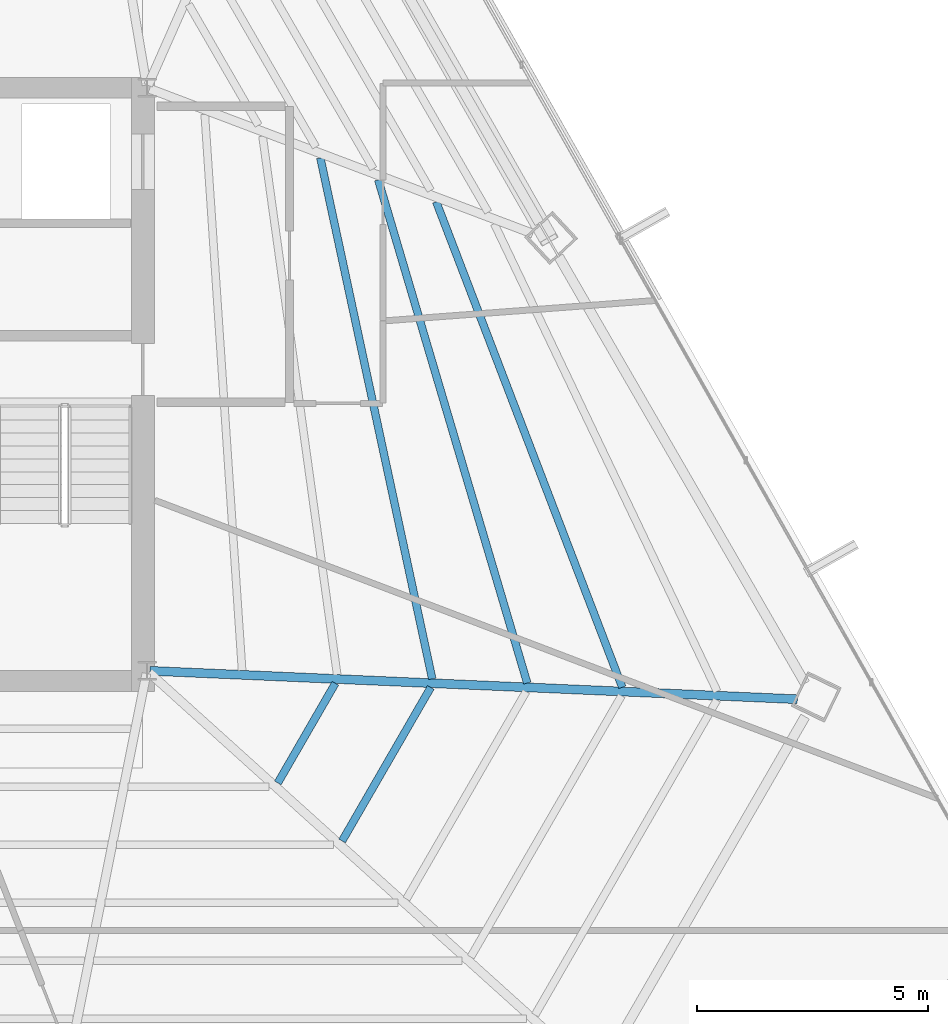
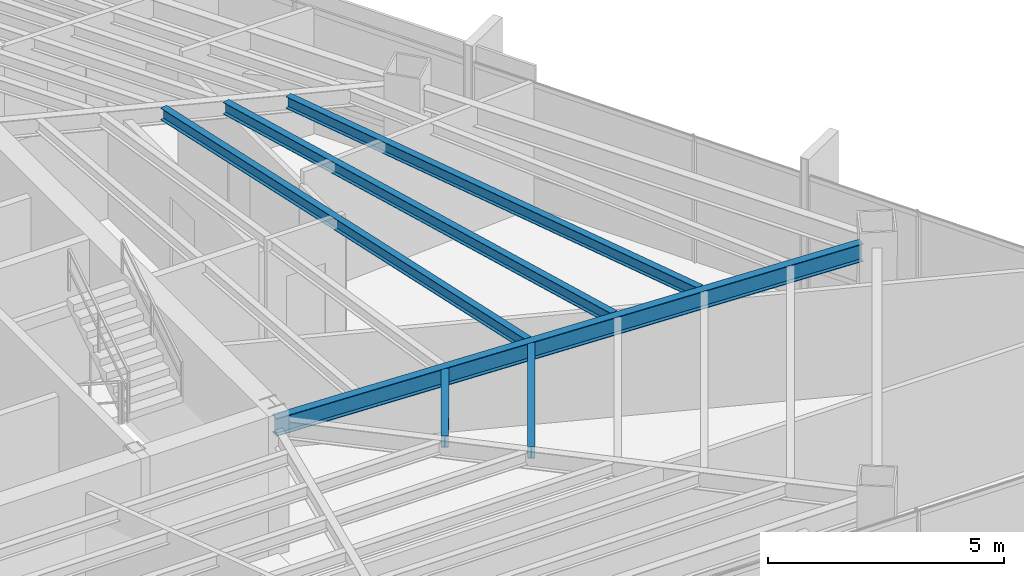
# One storey, part 21 of 40: 6 beams.
"""IFC4 building model written with IfcOpenShell, lengths in metres."""

from ifc_helpers import new_model, si_unit, direction, frame, origin, origin_2d, place, context, subcontext, project, spatial, i_section, extrude, source, transform, mapped, material, material_profile, profile_set, type_object, type_shapes, element, save


model = new_model("IFC4")

# Units and contexts
model_context = context("Model", 3, precision=1e-05, world=origin(), true_north=direction((0.0, 1.0)))
body_context = subcontext(model_context, "Body", "Model", "MODEL_VIEW")
ifc_project = project(units=[si_unit("LENGTHUNIT", "METRE"), si_unit("AREAUNIT", "SQUARE_METRE"), si_unit("VOLUMEUNIT", "CUBIC_METRE"), si_unit("PLANEANGLEUNIT", "RADIAN"), si_unit("MASSUNIT", "GRAM", prefix="KILO")], contexts=[model_context])

# Site, building, storey
site_placement = place(None, origin())
site = spatial("IfcSite", under=ifc_project, at=site_placement, CompositionType="ELEMENT")
building_placement = place(site_placement, origin())
building = spatial("IfcBuilding", under=site, at=building_placement, Name="Caelisora Broadcast Tower", CompositionType="ELEMENT")
storey_placement = place(building_placement, frame((0.0, 0.0, 216.89990234375)))
storey = spatial("IfcBuildingStorey", under=building, at=storey_placement, Name="L57", CompositionType="ELEMENT", Elevation=216.89990234375)

# Beams
ifc_material = material(Name="Steel Grade 350 (AS/NZS 3679.1)", Category="steel")
ifc_material_profile_1 = material_profile(ifc_material, i_section(OverallWidth=0.19091796875, OverallDepth=0.46044921875, WebThickness=0.010009765625, FlangeThickness=0.01611328125, at=origin_2d()), Name="Steel Grade 350 (AS/NZS 3679.1)")
ifc_profile_set_1 = profile_set([ifc_material_profile_1], Name="Steel Grade 350 (AS/NZS 3679.1)")
beam_type_1 = type_object("IfcBeamType", Name="PG06", PredefinedType="BEAM", material=ifc_profile_set_1)
shared_shape_1 = source(origin(), body_context, "Body", "SweptSolid", [
    extrude(i_section(OverallWidth=0.19091796875, OverallDepth=0.46044921875, WebThickness=0.010009765625, FlangeThickness=0.01611328125, at=origin_2d()), origin(), (0.0, 0.0, 1.0), 14.011474609375),
])
type_shapes(beam_type_1, [shared_shape_1])
beam_1_placement = place(storey_placement, frame((45.559814453125, 17.3974609375, 3.02001953125), z_axis=(0.999038587335, -0.043839491519, 0.0), x_axis=(0.043839491519, 0.999038587335, 0.0)))
element("IfcBeam", 1, at=beam_1_placement, inside=storey, type_object=beam_type_1, Name="L57 beam PG06", PredefinedType="BEAM", context=body_context, shape_type="MappedRepresentation", body=[
    mapped(shared_shape_1, transform((0.0, 0.0, 0.0), scale=1.0)),
])
ifc_material_profile_2 = material_profile(ifc_material, i_section(OverallWidth=0.166015625, OverallDepth=0.30712890625, WebThickness=0.006591796875, FlangeThickness=0.01171875, at=origin_2d()), Name="Steel Grade 350 (AS/NZS 3679.1)")
ifc_profile_set_2 = profile_set([ifc_material_profile_2], Name="Steel Grade 350 (AS/NZS 3679.1)")
beam_type_2 = type_object("IfcBeamType", Name="SB03", PredefinedType="JOIST", material=ifc_profile_set_2)
shared_shape_2 = source(origin(), body_context, "Body", "SweptSolid", [
    extrude(i_section(OverallWidth=0.166015625, OverallDepth=0.30712890625, WebThickness=0.006591796875, FlangeThickness=0.01171875, at=origin_2d()), origin(), (0.0, 0.0, 1.0), 11.5185546875),
])
beam_2_placement = place(storey_placement, frame((51.665771484375, 17.22216796875, 3.096435546875), z_axis=(-0.209963318775, 0.977709263927, 0.0), x_axis=(-0.977709263927, -0.209963318775, 0.0)))
element("IfcBeam", 2, at=beam_2_placement, inside=storey, type_object=beam_type_2, Name="L57 beam SB03", PredefinedType="JOIST", context=body_context, shape_type="MappedRepresentation", body=[
    mapped(shared_shape_2, transform((0.0, 0.0, 0.0), scale=1.0)),
])
shared_shape_3 = source(origin(), body_context, "Body", "SweptSolid", [
    extrude(i_section(OverallWidth=0.166015625, OverallDepth=0.30712890625, WebThickness=0.006591796875, FlangeThickness=0.01171875, at=origin_2d()), origin(), (0.0, 0.0, 1.0), 11.345458984375),
])
beam_3_placement = place(storey_placement, frame((53.7197265625, 17.132080078125, 3.096435546875), z_axis=(-0.283897097366, 0.958854753394, 0.0), x_axis=(-0.958854753394, -0.283897097366, 0.0)))
element("IfcBeam", 3, at=beam_3_placement, inside=storey, type_object=beam_type_2, Name="L57 beam SB03", PredefinedType="JOIST", context=body_context, shape_type="MappedRepresentation", body=[
    mapped(shared_shape_3, transform((0.0, 0.0, 0.0), scale=1.0)),
])
shared_shape_4 = source(origin(), body_context, "Body", "SweptSolid", [
    extrude(i_section(OverallWidth=0.166015625, OverallDepth=0.30712890625, WebThickness=0.006591796875, FlangeThickness=0.01171875, at=origin_2d()), origin(), (0.0, 0.0, 1.0), 11.239013671875),
])
beam_4_placement = place(storey_placement, frame((55.7734375, 17.0419921875, 3.096435546875), z_axis=(-0.35783468347, 0.933784953459, 0.0), x_axis=(-0.933784953459, -0.35783468347, 0.0)))
element("IfcBeam", 4, at=beam_4_placement, inside=storey, type_object=beam_type_2, Name="L57 beam SB03", PredefinedType="JOIST", context=body_context, shape_type="MappedRepresentation", body=[
    mapped(shared_shape_4, transform((0.0, 0.0, 0.0), scale=1.0)),
])
shared_shape_5 = source(origin(), body_context, "Body", "SweptSolid", [
    extrude(i_section(OverallWidth=0.166015625, OverallDepth=0.30712890625, WebThickness=0.006591796875, FlangeThickness=0.01171875, at=origin_2d()), origin(), (0.0, 0.0, 1.0), 2.487548828125),
])
beam_5_placement = place(storey_placement, frame((48.32763671875, 14.97412109375, 3.096435546875), z_axis=(0.500033948781, 0.86600580256, 0.0), x_axis=(-0.86600580256, 0.500033948781, 0.0)))
element("IfcBeam", 5, at=beam_5_placement, inside=storey, type_object=beam_type_2, Name="L57 beam SB03", PredefinedType="JOIST", context=body_context, shape_type="MappedRepresentation", body=[
    mapped(shared_shape_5, transform((0.0, 0.0, 0.0), scale=1.0)),
])
shared_shape_6 = source(origin(), body_context, "Body", "SweptSolid", [
    extrude(i_section(OverallWidth=0.166015625, OverallDepth=0.30712890625, WebThickness=0.006591796875, FlangeThickness=0.01171875, at=origin_2d()), origin(), (0.0, 0.0, 1.0), 3.8310546875),
])
type_shapes(beam_type_2, [shared_shape_2, shared_shape_3, shared_shape_4, shared_shape_5, shared_shape_6])
beam_6_placement = place(storey_placement, frame((49.7177734375, 13.719970703125, 3.096435546875), z_axis=(0.499990911512, 0.866030650962, 0.0), x_axis=(-0.866030650962, 0.499990911512, 0.0)))
element("IfcBeam", 6, at=beam_6_placement, inside=storey, type_object=beam_type_2, Name="L57 beam SB03", PredefinedType="JOIST", context=body_context, shape_type="MappedRepresentation", body=[
    mapped(shared_shape_6, transform((0.0, 0.0, 0.0), scale=1.0)),
])

save(model, "model.ifc")
